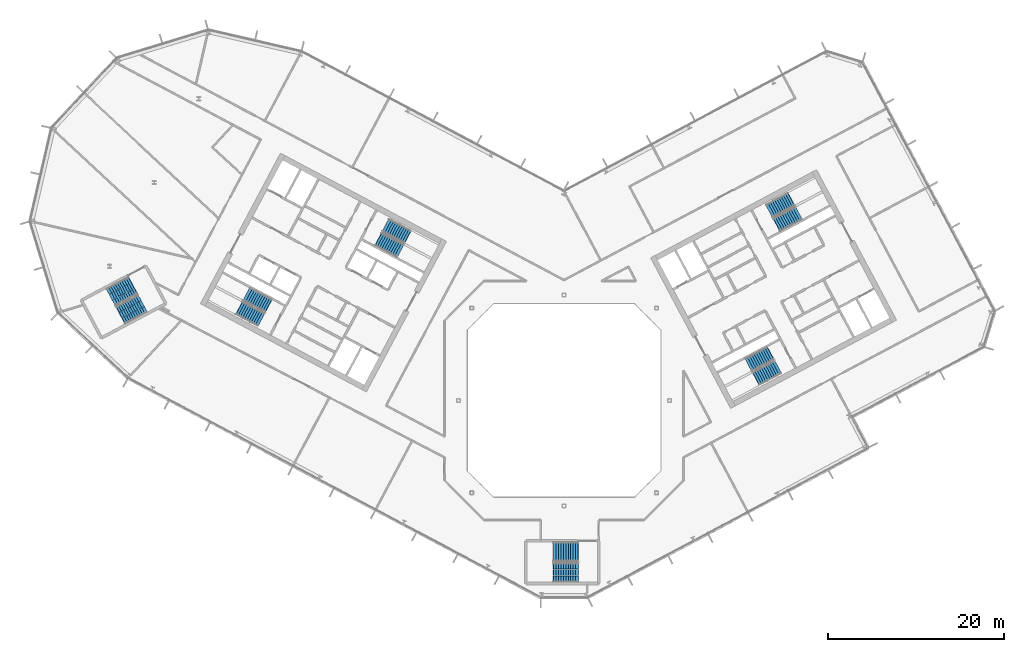
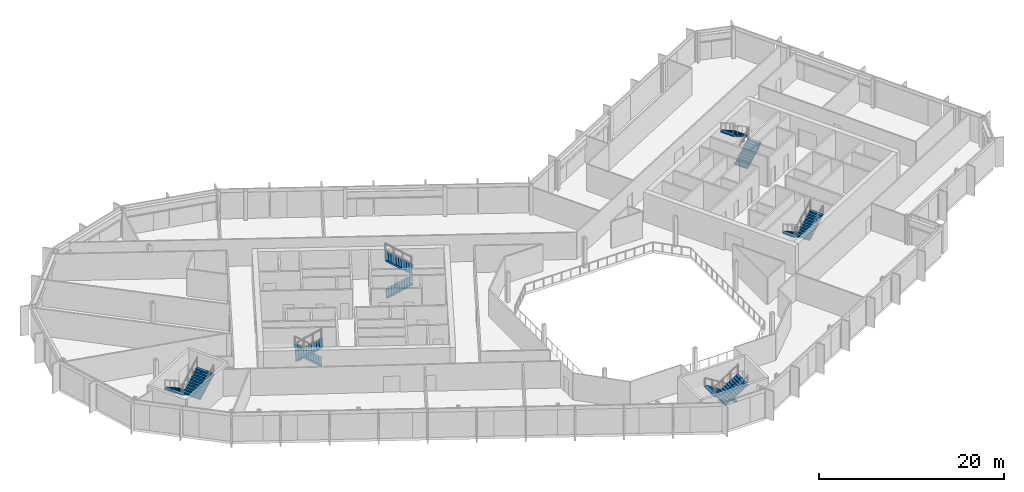
# One storey, part 17 of 26: 12 stair flights, 6 elements without a shape of their own.
"""IFC4 building model written with IfcOpenShell, lengths in metres."""

import ifcopenshell
import ifcopenshell.guid

model = None  # the IFC model being written
_history = None  # IfcOwnerHistory: only IFC2X3 demands one
_inside = {}  # id of a spatial element -> (the spatial element, [elements in it])
_under = {}  # id of a project, library or spatial element -> (it, [spatial elements below it])
_declared = {}  # id of a project -> (the project, [libraries it declares])
_typed = {}  # id of a type object -> (the type object, [elements of that type])
_made_of = {}  # id of a material, layer set ... -> (it, [elements and type objects made of it])


def new_model(schema):
    """Start an empty IFC model of exactly this schema.

    Asked for "IFC4X3", IfcOpenShell would pick the latest addendum, in which some entities
    have other attributes; the version numbers below select the first issue.
    IFC2X3 requires an IfcOwnerHistory on every rooted entity: one is made here for all.
    """
    global model, _history
    if schema == "IFC4X3":
        model = ifcopenshell.file(schema_version=(4, 3, 0, 0))
    else:
        model = ifcopenshell.file(schema=schema)
    _inside.clear()
    _under.clear()
    _declared.clear()
    _typed.clear()
    _made_of.clear()
    _history = None
    if model.schema == "IFC2X3":
        org = make("IfcOrganization", Name="unknown")
        user = make(
            "IfcPersonAndOrganization",
            ThePerson=make("IfcPerson", FamilyName="unknown"),
            TheOrganization=org,
        )
        app = make(
            "IfcApplication",
            ApplicationDeveloper=org,
            Version="unknown",
            ApplicationFullName="unknown",
            ApplicationIdentifier="unknown",
        )
        _history = make(
            "IfcOwnerHistory",
            OwningUser=user,
            OwningApplication=app,
            ChangeAction="ADDED",
            CreationDate=0,
        )
    return model


def make(cls, **values):
    """One entity of the class cls with the attributes given. An attribute that is None is left unset."""
    return model.create_entity(
        cls, **{name: value for name, value in values.items() if value is not None}
    )


def rooted(cls, **values):
    """An entity with a GlobalId (a new one), such as an element, a storey or a relation."""
    return make(cls, GlobalId=ifcopenshell.guid.new(), OwnerHistory=_history, **values)


def si_unit(unit_type, name, prefix=None):
    """IfcSIUnit, for example si_unit("LENGTHUNIT", "METRE", prefix="MILLI")."""
    return make("IfcSIUnit", UnitType=unit_type, Prefix=prefix, Name=name)


def assignment(units):
    """IfcUnitAssignment: the units of a project."""
    return None if units is None else make("IfcUnitAssignment", Units=units)


def point(xyz):
    """IfcCartesianPoint."""
    return None if xyz is None else make("IfcCartesianPoint", Coordinates=xyz)


def direction(xyz):
    """IfcDirection."""
    return None if xyz is None else make("IfcDirection", DirectionRatios=xyz)


def frame(location, z_axis=None, x_axis=None):
    """IfcAxis2Placement3D, a coordinate frame: its origin and axes. An axis left out is left unset."""
    return make(
        "IfcAxis2Placement3D",
        Location=point(location),
        Axis=direction(z_axis),
        RefDirection=direction(x_axis),
    )


def origin():
    """The frame at (0, 0, 0) with its axes left unset."""
    return frame((0.0, 0.0, 0.0))


def place(relative_to, where):
    """IfcLocalPlacement: puts the frame where relative to a parent placement (None: the world)."""
    return make(
        "IfcLocalPlacement", PlacementRelTo=relative_to, RelativePlacement=where
    )


def context(
    kind, dimensions, precision=None, world=None, true_north=None, identifier=None
):
    """IfcGeometricRepresentationContext, for example the 3D "Model" context."""
    return make(
        "IfcGeometricRepresentationContext",
        ContextIdentifier=identifier,
        ContextType=kind,
        CoordinateSpaceDimension=dimensions,
        Precision=precision,
        WorldCoordinateSystem=world,
        TrueNorth=true_north,
    )


def subcontext(parent, identifier, kind, view, scale=None):
    """IfcGeometricRepresentationSubContext, for example "Body" below "Model"."""
    return make(
        "IfcGeometricRepresentationSubContext",
        ContextIdentifier=identifier,
        ContextType=kind,
        ParentContext=parent,
        TargetScale=scale,
        TargetView=view,
    )


def project(units=None, contexts=None):
    """IfcProject with its units and contexts."""
    return rooted(
        "IfcProject",
        Name="project",
        RepresentationContexts=contexts,
        UnitsInContext=assignment(units),
    )


def spatial(cls, under=None, at=None, **own):
    """A site, building, storey or space (cls), placed at a placement, below another one or the project."""
    s = rooted(cls, ObjectPlacement=at, **own)
    if under is not None:
        _under.setdefault(under.id(), (under, []))[1].append(s)
    return s


def polyline(points):
    """IfcPolyline through the points."""
    return make("IfcPolyline", Points=[point(p) for p in points])


def outline(outer, holes=None, kind="AREA"):
    """IfcArbitraryClosedProfileDef: a profile drawn as a closed curve; with holes, ...WithVoids."""
    if holes is None:
        return make("IfcArbitraryClosedProfileDef", ProfileType=kind, OuterCurve=outer)
    return make(
        "IfcArbitraryProfileDefWithVoids",
        ProfileType=kind,
        OuterCurve=outer,
        InnerCurves=holes,
    )


def extrude(swept, where, along, depth):
    """IfcExtrudedAreaSolid: the profile swept, set in the frame where, extruded along a direction by depth."""
    return make(
        "IfcExtrudedAreaSolid",
        SweptArea=swept,
        Position=where,
        ExtrudedDirection=direction(along),
        Depth=depth,
    )


def shape(context_of_items, identifier, shape_type, items):
    """IfcShapeRepresentation: the items that make up one representation, for example the "Body"."""
    return make(
        "IfcShapeRepresentation",
        ContextOfItems=context_of_items,
        RepresentationIdentifier=identifier,
        RepresentationType=shape_type,
        Items=items,
    )


def material(Name=None, Category=None):
    """IfcMaterial."""
    return make("IfcMaterial", Name=Name, Category=Category)


def made_of(thing, what):
    """Note that an element or type object is made of a material, layer set ...; save() writes the relation."""
    if what is not None:
        _made_of.setdefault(what.id(), (what, []))[1].append(thing)
    return thing


def type_object(cls, material=None, **own):
    """A type object (cls), such as IfcWallType, which elements share."""
    return made_of(rooted(cls, **own), material)


def element(
    cls,
    number,
    at=None,
    inside=None,
    cuts=None,
    type_object=None,
    material=None,
    context=None,
    identifier="Body",
    shape_type=None,
    held_by="IfcProductDefinitionShape",
    body=None,
    shapes=None,
    **own,
):
    """One element of the class cls, such as IfcWall. Its Tag is "e" and its number.

    at: its placement. inside: the storey or other place that contains it. cuts: it is an
    opening in that element (IfcRelVoidsElement). A single representation is given by context,
    identifier, shape_type and body (its items); several are given by shapes. held_by: the class
    of the entity that holds the representations. save() writes the other relations.
    """
    e = rooted(cls, Tag="e%d" % number, ObjectPlacement=at, **own)
    if body is not None:
        shapes = [shape(context, identifier, shape_type, body)]
    if shapes is not None:
        e.Representation = make(held_by, Representations=shapes)
    if inside is not None:
        _inside.setdefault(inside.id(), (inside, []))[1].append(e)
    if cuts is not None:
        rooted(
            "IfcRelVoidsElement", RelatingBuildingElement=cuts, RelatedOpeningElement=e
        )
    if type_object is not None:
        _typed.setdefault(type_object.id(), (type_object, []))[1].append(e)
    return made_of(e, material)


def aggregate(whole, parts):
    """IfcRelAggregates: a whole, such as a stair, and the parts it consists of."""
    return rooted("IfcRelAggregates", RelatingObject=whole, RelatedObjects=parts)


def save(model, path):
    """Write the relations noted so far, then the file.

    IfcRelAggregates (storeys below a building ...), IfcRelContainedInSpatialStructure (elements
    in a storey), IfcRelDefinesByType, IfcRelAssociatesMaterial and IfcRelDeclares: one each for
    every whole, place, type object, material and project.
    """
    for whole, parts in _under.values():
        aggregate(whole, parts)
    for where, things in _inside.values():
        rooted(
            "IfcRelContainedInSpatialStructure",
            RelatedElements=things,
            RelatingStructure=where,
        )
    for kind, things in _typed.values():
        rooted("IfcRelDefinesByType", RelatedObjects=things, RelatingType=kind)
    for what, things in _made_of.values():
        rooted("IfcRelAssociatesMaterial", RelatedObjects=things, RelatingMaterial=what)
    for by, libraries in _declared.values():
        rooted("IfcRelDeclares", RelatingContext=by, RelatedDefinitions=libraries)
    model.write(path)


model = new_model("IFC4")

# Units and contexts
model_context = context("Model", 3, precision=1e-05, world=origin(), true_north=direction((0.0, 1.0)))
body_context = subcontext(model_context, "Body", "Model", "MODEL_VIEW")
ifc_project = project(units=[si_unit("LENGTHUNIT", "METRE"), si_unit("AREAUNIT", "SQUARE_METRE"), si_unit("VOLUMEUNIT", "CUBIC_METRE"), si_unit("PLANEANGLEUNIT", "RADIAN"), si_unit("MASSUNIT", "GRAM", prefix="KILO")], contexts=[model_context])

# Site, building, storey
site_placement = place(None, origin())
site = spatial("IfcSite", under=ifc_project, at=site_placement, CompositionType="ELEMENT")
building_placement = place(site_placement, origin())
building = spatial("IfcBuilding", under=site, at=building_placement, Name="Cormorant Relay Tower", CompositionType="ELEMENT")
storey_placement = place(building_placement, frame((0.0, 0.0, 213.0)))
storey = spatial("IfcBuildingStorey", under=building, at=storey_placement, Name="L46", CompositionType="ELEMENT", Elevation=213.0)

# Stair, stair flights
ifc_material_1 = material(Name="Concrete 40 MPa", Category="concrete")
stair_type_1 = type_object("IfcStairType", Name="Exit stair 1500", PredefinedType="HALF_TURN_STAIR", material=ifc_material_1)
stair_1_placement = place(storey_placement, origin())
stair_1 = element("IfcStair", 1, at=stair_1_placement, inside=storey, type_object=stair_type_1, Name="L46 Stair", PredefinedType="HALF_TURN_STAIR")
ifc_material_2 = material(Name="Concrete 40 MPa", Category="concrete")
stair_flight_type_1 = type_object("IfcStairFlightType", Name="Exit stair flight 1650", PredefinedType="STRAIGHT", material=ifc_material_2)
stair_flight_1_placement = place(storey_placement, frame((-21.114501953125, 18.33349609375, 0.0), z_axis=(0.0, 0.0, 1.0), x_axis=(0.882947592859, -0.469471562786, 0.0)))
stair_flight_1 = element("IfcStairFlight", 2, at=stair_flight_1_placement, type_object=stair_flight_type_1, Name="A1 flight 1", NumberOfRisers=11, NumberOfTreads=10, PredefinedType="STRAIGHT", RiserHeight=0.177272727, TreadLength=0.28, context=body_context, shape_type="SweptSolid", body=[
    extrude(outline(polyline([(-0.050048828125, -0.080078125), (-0.050048828125, 0.0), (0.0, 0.0), (0.0, 0.17724609375), (0.280029296875, 0.17724609375), (0.280029296875, 0.3544921875), (0.56005859375, 0.3544921875), (0.56005859375, 0.53173828125), (0.840087890625, 0.53173828125), (0.840087890625, 0.708984375), (1.1201171875, 0.708984375), (1.1201171875, 0.886474609375), (1.39990234375, 0.886474609375), (1.39990234375, 1.063720703125), (1.679931640625, 1.063720703125), (1.679931640625, 1.240966796875), (1.9599609375, 1.240966796875), (1.9599609375, 1.418212890625), (2.239990234375, 1.418212890625), (2.239990234375, 1.595458984375), (2.52001953125, 1.595458984375), (2.52001953125, 1.772705078125), (2.800048828125, 1.772705078125), (2.85009765625, 1.772705078125), (2.85009765625, 1.59521484375), (2.800048828125, 1.59521484375), (0.2802734375, 0.0), (-0.050048828125, -0.080078125)])), frame((0.0, 0.824951171875, 0.0), z_axis=(0.0, -1.0, 0.0), x_axis=(1.0, 0.0, 0.0)), (0.0, 0.0, 1.0), 1.64990234375),
])
stair_flight_2_placement = place(storey_placement, frame((-17.797119140625, 18.6083984375, 1.949951171875), z_axis=(0.0, 0.0, 1.0), x_axis=(-0.882947592859, 0.469471562786, 0.0)))
stair_flight_2 = element("IfcStairFlight", 3, at=stair_flight_2_placement, type_object=stair_flight_type_1, Name="A1 flight 2", NumberOfRisers=11, NumberOfTreads=10, PredefinedType="STRAIGHT", RiserHeight=0.177272727, TreadLength=0.28, context=body_context, shape_type="SweptSolid", body=[
    extrude(outline(polyline([(-0.050048828125, -0.080078125), (-0.050048828125, 0.0), (0.0, 0.0), (0.0, 0.17724609375), (0.280029296875, 0.17724609375), (0.280029296875, 0.3544921875), (0.56005859375, 0.3544921875), (0.56005859375, 0.53173828125), (0.840087890625, 0.53173828125), (0.840087890625, 0.708984375), (1.1201171875, 0.708984375), (1.1201171875, 0.886474609375), (1.39990234375, 0.886474609375), (1.39990234375, 1.063720703125), (1.679931640625, 1.063720703125), (1.679931640625, 1.240966796875), (1.9599609375, 1.240966796875), (1.9599609375, 1.418212890625), (2.239990234375, 1.418212890625), (2.239990234375, 1.595458984375), (2.52001953125, 1.595458984375), (2.52001953125, 1.772705078125), (2.800048828125, 1.772705078125), (2.85009765625, 1.772705078125), (2.85009765625, 1.59521484375), (2.800048828125, 1.59521484375), (0.2802734375, 0.0), (-0.050048828125, -0.080078125)])), frame((0.0, 0.824951171875, 0.0), z_axis=(0.0, -1.0, 0.0), x_axis=(1.0, 0.0, 0.0)), (0.0, 0.0, 1.0), 1.64990234375),
])
aggregate(stair_1, [stair_flight_1, stair_flight_2])

stair_2_placement = place(storey_placement, origin())
stair_2 = element("IfcStair", 4, at=stair_2_placement, inside=storey, type_object=stair_type_1, Name="L46 Stair", PredefinedType="HALF_TURN_STAIR")
stair_flight_3_placement = place(storey_placement, frame((-33.62841796875, 10.773681640625, 0.0), z_axis=(0.0, 0.0, 1.0), x_axis=(-0.882947592859, 0.469471562786, 0.0)))
stair_flight_3 = element("IfcStairFlight", 5, at=stair_flight_3_placement, type_object=stair_flight_type_1, Name="A2 flight 1", NumberOfRisers=11, NumberOfTreads=10, PredefinedType="STRAIGHT", RiserHeight=0.177272727, TreadLength=0.28, context=body_context, shape_type="SweptSolid", body=[
    extrude(outline(polyline([(-0.050048828125, -0.080078125), (-0.050048828125, 0.0), (0.0, 0.0), (0.0, 0.17724609375), (0.280029296875, 0.17724609375), (0.280029296875, 0.3544921875), (0.56005859375, 0.3544921875), (0.56005859375, 0.53173828125), (0.840087890625, 0.53173828125), (0.840087890625, 0.708984375), (1.1201171875, 0.708984375), (1.1201171875, 0.886474609375), (1.39990234375, 0.886474609375), (1.39990234375, 1.063720703125), (1.679931640625, 1.063720703125), (1.679931640625, 1.240966796875), (1.9599609375, 1.240966796875), (1.9599609375, 1.418212890625), (2.239990234375, 1.418212890625), (2.239990234375, 1.595458984375), (2.52001953125, 1.595458984375), (2.52001953125, 1.772705078125), (2.800048828125, 1.772705078125), (2.85009765625, 1.772705078125), (2.85009765625, 1.59521484375), (2.800048828125, 1.59521484375), (0.2802734375, 0.0), (-0.050048828125, -0.080078125)])), frame((0.0, 0.824951171875, 0.0), z_axis=(0.0, -1.0, 0.0), x_axis=(1.0, 0.0, 0.0)), (0.0, 0.0, 1.0), 1.64990234375),
])
stair_flight_4_placement = place(storey_placement, frame((-36.945556640625, 10.498779296875, 1.949951171875), z_axis=(0.0, 0.0, 1.0), x_axis=(0.882947592859, -0.469471562786, 0.0)))
stair_flight_4 = element("IfcStairFlight", 6, at=stair_flight_4_placement, type_object=stair_flight_type_1, Name="A2 flight 2", NumberOfRisers=11, NumberOfTreads=10, PredefinedType="STRAIGHT", RiserHeight=0.177272727, TreadLength=0.28, context=body_context, shape_type="SweptSolid", body=[
    extrude(outline(polyline([(-0.050048828125, -0.080078125), (-0.050048828125, 0.0), (0.0, 0.0), (0.0, 0.17724609375), (0.280029296875, 0.17724609375), (0.280029296875, 0.3544921875), (0.56005859375, 0.3544921875), (0.56005859375, 0.53173828125), (0.840087890625, 0.53173828125), (0.840087890625, 0.708984375), (1.1201171875, 0.708984375), (1.1201171875, 0.886474609375), (1.39990234375, 0.886474609375), (1.39990234375, 1.063720703125), (1.679931640625, 1.063720703125), (1.679931640625, 1.240966796875), (1.9599609375, 1.240966796875), (1.9599609375, 1.418212890625), (2.239990234375, 1.418212890625), (2.239990234375, 1.595458984375), (2.52001953125, 1.595458984375), (2.52001953125, 1.772705078125), (2.800048828125, 1.772705078125), (2.85009765625, 1.772705078125), (2.85009765625, 1.59521484375), (2.800048828125, 1.59521484375), (0.2802734375, 0.0), (-0.050048828125, -0.080078125)])), frame((0.0, 0.824951171875, 0.0), z_axis=(0.0, -1.0, 0.0), x_axis=(1.0, 0.0, 0.0)), (0.0, 0.0, 1.0), 1.64990234375),
])
aggregate(stair_2, [stair_flight_3, stair_flight_4])

stair_3_placement = place(storey_placement, origin())
stair_3 = element("IfcStair", 7, at=stair_3_placement, inside=storey, type_object=stair_type_1, Name="L46 Stair", PredefinedType="HALF_TURN_STAIR")
stair_flight_5_placement = place(storey_placement, frame((23.474365234375, 5.374755859375, 0.0), z_axis=(0.0, 0.0, 1.0), x_axis=(-0.882947592859, -0.469471562786, 0.0)))
stair_flight_5 = element("IfcStairFlight", 8, at=stair_flight_5_placement, type_object=stair_flight_type_1, Name="B1 flight 1", NumberOfRisers=11, NumberOfTreads=10, PredefinedType="STRAIGHT", RiserHeight=0.177272727, TreadLength=0.28, context=body_context, shape_type="SweptSolid", body=[
    extrude(outline(polyline([(-0.050048828125, -0.080078125), (-0.050048828125, 0.0), (0.0, 0.0), (0.0, 0.17724609375), (0.280029296875, 0.17724609375), (0.280029296875, 0.3544921875), (0.56005859375, 0.3544921875), (0.56005859375, 0.53173828125), (0.840087890625, 0.53173828125), (0.840087890625, 0.708984375), (1.1201171875, 0.708984375), (1.1201171875, 0.886474609375), (1.39990234375, 0.886474609375), (1.39990234375, 1.063720703125), (1.679931640625, 1.063720703125), (1.679931640625, 1.240966796875), (1.9599609375, 1.240966796875), (1.9599609375, 1.418212890625), (2.239990234375, 1.418212890625), (2.239990234375, 1.595458984375), (2.52001953125, 1.595458984375), (2.52001953125, 1.772705078125), (2.800048828125, 1.772705078125), (2.85009765625, 1.772705078125), (2.85009765625, 1.59521484375), (2.800048828125, 1.59521484375), (0.2802734375, 0.0), (-0.050048828125, -0.080078125)])), frame((0.0, 0.824951171875, 0.0), z_axis=(0.0, -1.0, 0.0), x_axis=(1.0, 0.0, 0.0)), (0.0, 0.0, 1.0), 1.64990234375),
])
stair_flight_6_placement = place(storey_placement, frame((21.84716796875, 2.470947265625, 1.949951171875), z_axis=(0.0, 0.0, 1.0), x_axis=(0.882947592859, 0.469471562786, 0.0)))
stair_flight_6 = element("IfcStairFlight", 9, at=stair_flight_6_placement, type_object=stair_flight_type_1, Name="B1 flight 2", NumberOfRisers=11, NumberOfTreads=10, PredefinedType="STRAIGHT", RiserHeight=0.177272727, TreadLength=0.28, context=body_context, shape_type="SweptSolid", body=[
    extrude(outline(polyline([(-0.050048828125, -0.080078125), (-0.050048828125, 0.0), (0.0, 0.0), (0.0, 0.17724609375), (0.280029296875, 0.17724609375), (0.280029296875, 0.3544921875), (0.56005859375, 0.3544921875), (0.56005859375, 0.53173828125), (0.840087890625, 0.53173828125), (0.840087890625, 0.708984375), (1.1201171875, 0.708984375), (1.1201171875, 0.886474609375), (1.39990234375, 0.886474609375), (1.39990234375, 1.063720703125), (1.679931640625, 1.063720703125), (1.679931640625, 1.240966796875), (1.9599609375, 1.240966796875), (1.9599609375, 1.418212890625), (2.239990234375, 1.418212890625), (2.239990234375, 1.595458984375), (2.52001953125, 1.595458984375), (2.52001953125, 1.772705078125), (2.800048828125, 1.772705078125), (2.85009765625, 1.772705078125), (2.85009765625, 1.59521484375), (2.800048828125, 1.59521484375), (0.2802734375, 0.0), (-0.050048828125, -0.080078125)])), frame((0.0, 0.824951171875, 0.0), z_axis=(0.0, -1.0, 0.0), x_axis=(1.0, 0.0, 0.0)), (0.0, 0.0, 1.0), 1.64990234375),
])
aggregate(stair_3, [stair_flight_5, stair_flight_6])

stair_4_placement = place(storey_placement, origin())
stair_4 = element("IfcStair", 10, at=stair_4_placement, inside=storey, type_object=stair_type_1, Name="L46 Stair", PredefinedType="HALF_TURN_STAIR")
stair_flight_7_placement = place(storey_placement, frame((24.20458984375, 19.976806640625, 0.0), z_axis=(0.0, 0.0, 1.0), x_axis=(0.882947592859, 0.469471562786, 0.0)))
stair_flight_7 = element("IfcStairFlight", 11, at=stair_flight_7_placement, type_object=stair_flight_type_1, Name="B2 flight 1", NumberOfRisers=11, NumberOfTreads=10, PredefinedType="STRAIGHT", RiserHeight=0.177272727, TreadLength=0.28, context=body_context, shape_type="SweptSolid", body=[
    extrude(outline(polyline([(-0.050048828125, -0.080078125), (-0.050048828125, 0.0), (0.0, 0.0), (0.0, 0.17724609375), (0.280029296875, 0.17724609375), (0.280029296875, 0.3544921875), (0.56005859375, 0.3544921875), (0.56005859375, 0.53173828125), (0.840087890625, 0.53173828125), (0.840087890625, 0.708984375), (1.1201171875, 0.708984375), (1.1201171875, 0.886474609375), (1.39990234375, 0.886474609375), (1.39990234375, 1.063720703125), (1.679931640625, 1.063720703125), (1.679931640625, 1.240966796875), (1.9599609375, 1.240966796875), (1.9599609375, 1.418212890625), (2.239990234375, 1.418212890625), (2.239990234375, 1.595458984375), (2.52001953125, 1.595458984375), (2.52001953125, 1.772705078125), (2.800048828125, 1.772705078125), (2.85009765625, 1.772705078125), (2.85009765625, 1.59521484375), (2.800048828125, 1.59521484375), (0.2802734375, 0.0), (-0.050048828125, -0.080078125)])), frame((0.0, 0.824951171875, 0.0), z_axis=(0.0, -1.0, 0.0), x_axis=(1.0, 0.0, 0.0)), (0.0, 0.0, 1.0), 1.64990234375),
])
stair_flight_8_placement = place(storey_placement, frame((25.831787109375, 22.880615234375, 1.949951171875), z_axis=(0.0, 0.0, 1.0), x_axis=(-0.882947592859, -0.469471562786, 0.0)))
stair_flight_8 = element("IfcStairFlight", 12, at=stair_flight_8_placement, type_object=stair_flight_type_1, Name="B2 flight 2", NumberOfRisers=11, NumberOfTreads=10, PredefinedType="STRAIGHT", RiserHeight=0.177272727, TreadLength=0.28, context=body_context, shape_type="SweptSolid", body=[
    extrude(outline(polyline([(-0.050048828125, -0.080078125), (-0.050048828125, 0.0), (0.0, 0.0), (0.0, 0.17724609375), (0.280029296875, 0.17724609375), (0.280029296875, 0.3544921875), (0.56005859375, 0.3544921875), (0.56005859375, 0.53173828125), (0.840087890625, 0.53173828125), (0.840087890625, 0.708984375), (1.1201171875, 0.708984375), (1.1201171875, 0.886474609375), (1.39990234375, 0.886474609375), (1.39990234375, 1.063720703125), (1.679931640625, 1.063720703125), (1.679931640625, 1.240966796875), (1.9599609375, 1.240966796875), (1.9599609375, 1.418212890625), (2.239990234375, 1.418212890625), (2.239990234375, 1.595458984375), (2.52001953125, 1.595458984375), (2.52001953125, 1.772705078125), (2.800048828125, 1.772705078125), (2.85009765625, 1.772705078125), (2.85009765625, 1.59521484375), (2.800048828125, 1.59521484375), (0.2802734375, 0.0), (-0.050048828125, -0.080078125)])), frame((0.0, 0.824951171875, 0.0), z_axis=(0.0, -1.0, 0.0), x_axis=(1.0, 0.0, 0.0)), (0.0, 0.0, 1.0), 1.64990234375),
])
aggregate(stair_4, [stair_flight_7, stair_flight_8])

ifc_material_3 = material(Name="Concrete 40 MPa", Category="concrete")
stair_type_2 = type_object("IfcStairType", Name="Remote exit stair 2200", PredefinedType="HALF_TURN_STAIR", material=ifc_material_3)
stair_5_placement = place(storey_placement, origin())
stair_5 = element("IfcStair", 13, at=stair_5_placement, inside=storey, type_object=stair_type_2, Name="L46 Stair", PredefinedType="HALF_TURN_STAIR")
ifc_material_4 = material(Name="Concrete 40 MPa", Category="concrete")
stair_flight_type_2 = type_object("IfcStairFlightType", Name="Remote exit stair flight 2200", PredefinedType="STRAIGHT", material=ifc_material_4)
stair_flight_9_placement = place(storey_placement, frame((1.60009765625, -17.22509765625, 0.0), z_axis=(0.0, 0.0, 1.0), x_axis=(-1.0, 0.0, 0.0)))
stair_flight_9 = element("IfcStairFlight", 14, at=stair_flight_9_placement, type_object=stair_flight_type_2, Name="RK1 flight 1", NumberOfRisers=11, NumberOfTreads=10, PredefinedType="STRAIGHT", RiserHeight=0.177272727, TreadLength=0.28, context=body_context, shape_type="SweptSolid", body=[
    extrude(outline(polyline([(-0.050048828125, -0.080078125), (-0.050048828125, 0.0), (0.0, 0.0), (0.0, 0.17724609375), (0.280029296875, 0.17724609375), (0.280029296875, 0.3544921875), (0.56005859375, 0.3544921875), (0.56005859375, 0.53173828125), (0.840087890625, 0.53173828125), (0.840087890625, 0.708984375), (1.1201171875, 0.708984375), (1.1201171875, 0.886474609375), (1.39990234375, 0.886474609375), (1.39990234375, 1.063720703125), (1.679931640625, 1.063720703125), (1.679931640625, 1.240966796875), (1.9599609375, 1.240966796875), (1.9599609375, 1.418212890625), (2.239990234375, 1.418212890625), (2.239990234375, 1.595458984375), (2.52001953125, 1.595458984375), (2.52001953125, 1.772705078125), (2.800048828125, 1.772705078125), (2.85009765625, 1.772705078125), (2.85009765625, 1.59521484375), (2.800048828125, 1.59521484375), (0.2802734375, 0.0), (-0.050048828125, -0.080078125)])), frame((0.0, 1.10009765625, 0.0), z_axis=(0.0, -1.0, 0.0), x_axis=(1.0, 0.0, 0.0)), (0.0, 0.0, 1.0), 0.719970703125),
    extrude(outline(polyline([(-0.050048828125, -0.080078125), (-0.050048828125, 0.0), (0.0, 0.0), (0.0, 0.17724609375), (0.280029296875, 0.17724609375), (0.280029296875, 0.3544921875), (0.56005859375, 0.3544921875), (0.56005859375, 0.53173828125), (0.840087890625, 0.53173828125), (0.840087890625, 0.708984375), (1.1201171875, 0.708984375), (1.1201171875, 0.886474609375), (1.39990234375, 0.886474609375), (1.39990234375, 1.063720703125), (1.679931640625, 1.063720703125), (1.679931640625, 1.240966796875), (1.9599609375, 1.240966796875), (1.9599609375, 1.418212890625), (2.239990234375, 1.418212890625), (2.239990234375, 1.595458984375), (2.52001953125, 1.595458984375), (2.52001953125, 1.772705078125), (2.800048828125, 1.772705078125), (2.85009765625, 1.772705078125), (2.85009765625, 1.59521484375), (2.800048828125, 1.59521484375), (0.2802734375, 0.0), (-0.050048828125, -0.080078125)])), frame((0.0, 0.360107421875, 0.0), z_axis=(0.0, -1.0, 0.0), x_axis=(1.0, 0.0, 0.0)), (0.0, 0.0, 1.0), 0.719970703125),
    extrude(outline(polyline([(-0.050048828125, -0.080078125), (-0.050048828125, 0.0), (0.0, 0.0), (0.0, 0.17724609375), (0.280029296875, 0.17724609375), (0.280029296875, 0.3544921875), (0.56005859375, 0.3544921875), (0.56005859375, 0.53173828125), (0.840087890625, 0.53173828125), (0.840087890625, 0.708984375), (1.1201171875, 0.708984375), (1.1201171875, 0.886474609375), (1.39990234375, 0.886474609375), (1.39990234375, 1.063720703125), (1.679931640625, 1.063720703125), (1.679931640625, 1.240966796875), (1.9599609375, 1.240966796875), (1.9599609375, 1.418212890625), (2.239990234375, 1.418212890625), (2.239990234375, 1.595458984375), (2.52001953125, 1.595458984375), (2.52001953125, 1.772705078125), (2.800048828125, 1.772705078125), (2.85009765625, 1.772705078125), (2.85009765625, 1.59521484375), (2.800048828125, 1.59521484375), (0.2802734375, 0.0), (-0.050048828125, -0.080078125)])), frame((0.0, -0.3798828125, 0.0), z_axis=(0.0, -1.0, 0.0), x_axis=(1.0, 0.0, 0.0)), (0.0, 0.0, 1.0), 0.719970703125),
])
stair_flight_10_placement = place(storey_placement, frame((-1.199951171875, -19.574951171875, 1.949951171875), z_axis=(0.0, 0.0, 1.0), x_axis=(1.0, 0.0, 0.0)))
stair_flight_10 = element("IfcStairFlight", 15, at=stair_flight_10_placement, type_object=stair_flight_type_2, Name="RK1 flight 2", NumberOfRisers=11, NumberOfTreads=10, PredefinedType="STRAIGHT", RiserHeight=0.177272727, TreadLength=0.28, context=body_context, shape_type="SweptSolid", body=[
    extrude(outline(polyline([(-0.050048828125, -0.080078125), (-0.050048828125, 0.0), (0.0, 0.0), (0.0, 0.17724609375), (0.280029296875, 0.17724609375), (0.280029296875, 0.3544921875), (0.56005859375, 0.3544921875), (0.56005859375, 0.53173828125), (0.840087890625, 0.53173828125), (0.840087890625, 0.708984375), (1.1201171875, 0.708984375), (1.1201171875, 0.886474609375), (1.39990234375, 0.886474609375), (1.39990234375, 1.063720703125), (1.679931640625, 1.063720703125), (1.679931640625, 1.240966796875), (1.9599609375, 1.240966796875), (1.9599609375, 1.418212890625), (2.239990234375, 1.418212890625), (2.239990234375, 1.595458984375), (2.52001953125, 1.595458984375), (2.52001953125, 1.772705078125), (2.800048828125, 1.772705078125), (2.85009765625, 1.772705078125), (2.85009765625, 1.59521484375), (2.800048828125, 1.59521484375), (0.2802734375, 0.0), (-0.050048828125, -0.080078125)])), frame((0.0, 1.10009765625, 0.0), z_axis=(0.0, -1.0, 0.0), x_axis=(1.0, 0.0, 0.0)), (0.0, 0.0, 1.0), 0.719970703125),
    extrude(outline(polyline([(-0.050048828125, -0.080078125), (-0.050048828125, 0.0), (0.0, 0.0), (0.0, 0.17724609375), (0.280029296875, 0.17724609375), (0.280029296875, 0.3544921875), (0.56005859375, 0.3544921875), (0.56005859375, 0.53173828125), (0.840087890625, 0.53173828125), (0.840087890625, 0.708984375), (1.1201171875, 0.708984375), (1.1201171875, 0.886474609375), (1.39990234375, 0.886474609375), (1.39990234375, 1.063720703125), (1.679931640625, 1.063720703125), (1.679931640625, 1.240966796875), (1.9599609375, 1.240966796875), (1.9599609375, 1.418212890625), (2.239990234375, 1.418212890625), (2.239990234375, 1.595458984375), (2.52001953125, 1.595458984375), (2.52001953125, 1.772705078125), (2.800048828125, 1.772705078125), (2.85009765625, 1.772705078125), (2.85009765625, 1.59521484375), (2.800048828125, 1.59521484375), (0.2802734375, 0.0), (-0.050048828125, -0.080078125)])), frame((0.0, 0.360107421875, 0.0), z_axis=(0.0, -1.0, 0.0), x_axis=(1.0, 0.0, 0.0)), (0.0, 0.0, 1.0), 0.719970703125),
    extrude(outline(polyline([(-0.050048828125, -0.080078125), (-0.050048828125, 0.0), (0.0, 0.0), (0.0, 0.17724609375), (0.280029296875, 0.17724609375), (0.280029296875, 0.3544921875), (0.56005859375, 0.3544921875), (0.56005859375, 0.53173828125), (0.840087890625, 0.53173828125), (0.840087890625, 0.708984375), (1.1201171875, 0.708984375), (1.1201171875, 0.886474609375), (1.39990234375, 0.886474609375), (1.39990234375, 1.063720703125), (1.679931640625, 1.063720703125), (1.679931640625, 1.240966796875), (1.9599609375, 1.240966796875), (1.9599609375, 1.418212890625), (2.239990234375, 1.418212890625), (2.239990234375, 1.595458984375), (2.52001953125, 1.595458984375), (2.52001953125, 1.772705078125), (2.800048828125, 1.772705078125), (2.85009765625, 1.772705078125), (2.85009765625, 1.59521484375), (2.800048828125, 1.59521484375), (0.2802734375, 0.0), (-0.050048828125, -0.080078125)])), frame((0.0, -0.3798828125, 0.0), z_axis=(0.0, -1.0, 0.0), x_axis=(1.0, 0.0, 0.0)), (0.0, 0.0, 1.0), 0.719970703125),
])
aggregate(stair_5, [stair_flight_9, stair_flight_10])

stair_6_placement = place(storey_placement, origin())
stair_6 = element("IfcStair", 16, at=stair_6_placement, inside=storey, type_object=stair_type_2, Name="L46 Stair", PredefinedType="HALF_TURN_STAIR")
stair_flight_11_placement = place(storey_placement, frame((-49.062255859375, 13.08251953125, 0.0), z_axis=(0.0, 0.0, 1.0), x_axis=(-0.882947502727, -0.4694717323, 0.0)))
stair_flight_11 = element("IfcStairFlight", 17, at=stair_flight_11_placement, type_object=stair_flight_type_2, Name="RP1 flight 1", NumberOfRisers=11, NumberOfTreads=10, PredefinedType="STRAIGHT", RiserHeight=0.177272727, TreadLength=0.28, context=body_context, shape_type="SweptSolid", body=[
    extrude(outline(polyline([(-0.050048828125, -0.080078125), (-0.050048828125, 0.0), (0.0, 0.0), (0.0, 0.17724609375), (0.280029296875, 0.17724609375), (0.280029296875, 0.3544921875), (0.56005859375, 0.3544921875), (0.56005859375, 0.53173828125), (0.840087890625, 0.53173828125), (0.840087890625, 0.708984375), (1.1201171875, 0.708984375), (1.1201171875, 0.886474609375), (1.39990234375, 0.886474609375), (1.39990234375, 1.063720703125), (1.679931640625, 1.063720703125), (1.679931640625, 1.240966796875), (1.9599609375, 1.240966796875), (1.9599609375, 1.418212890625), (2.239990234375, 1.418212890625), (2.239990234375, 1.595458984375), (2.52001953125, 1.595458984375), (2.52001953125, 1.772705078125), (2.800048828125, 1.772705078125), (2.85009765625, 1.772705078125), (2.85009765625, 1.59521484375), (2.800048828125, 1.59521484375), (0.2802734375, 0.0), (-0.050048828125, -0.080078125)])), frame((0.0, 1.10009765625, 0.0), z_axis=(0.0, -1.0, 0.0), x_axis=(1.0, 0.0, 0.0)), (0.0, 0.0, 1.0), 0.719970703125),
    extrude(outline(polyline([(-0.050048828125, -0.080078125), (-0.050048828125, 0.0), (0.0, 0.0), (0.0, 0.17724609375), (0.280029296875, 0.17724609375), (0.280029296875, 0.3544921875), (0.56005859375, 0.3544921875), (0.56005859375, 0.53173828125), (0.840087890625, 0.53173828125), (0.840087890625, 0.708984375), (1.1201171875, 0.708984375), (1.1201171875, 0.886474609375), (1.39990234375, 0.886474609375), (1.39990234375, 1.063720703125), (1.679931640625, 1.063720703125), (1.679931640625, 1.240966796875), (1.9599609375, 1.240966796875), (1.9599609375, 1.418212890625), (2.239990234375, 1.418212890625), (2.239990234375, 1.595458984375), (2.52001953125, 1.595458984375), (2.52001953125, 1.772705078125), (2.800048828125, 1.772705078125), (2.85009765625, 1.772705078125), (2.85009765625, 1.59521484375), (2.800048828125, 1.59521484375), (0.2802734375, 0.0), (-0.050048828125, -0.080078125)])), frame((0.0, 0.360107421875, 0.0), z_axis=(0.0, -1.0, 0.0), x_axis=(1.0, 0.0, 0.0)), (0.0, 0.0, 1.0), 0.719970703125),
    extrude(outline(polyline([(-0.050048828125, -0.080078125), (-0.050048828125, 0.0), (0.0, 0.0), (0.0, 0.17724609375), (0.280029296875, 0.17724609375), (0.280029296875, 0.3544921875), (0.56005859375, 0.3544921875), (0.56005859375, 0.53173828125), (0.840087890625, 0.53173828125), (0.840087890625, 0.708984375), (1.1201171875, 0.708984375), (1.1201171875, 0.886474609375), (1.39990234375, 0.886474609375), (1.39990234375, 1.063720703125), (1.679931640625, 1.063720703125), (1.679931640625, 1.240966796875), (1.9599609375, 1.240966796875), (1.9599609375, 1.418212890625), (2.239990234375, 1.418212890625), (2.239990234375, 1.595458984375), (2.52001953125, 1.595458984375), (2.52001953125, 1.772705078125), (2.800048828125, 1.772705078125), (2.85009765625, 1.772705078125), (2.85009765625, 1.59521484375), (2.800048828125, 1.59521484375), (0.2802734375, 0.0), (-0.050048828125, -0.080078125)])), frame((0.0, -0.3798828125, 0.0), z_axis=(0.0, -1.0, 0.0), x_axis=(1.0, 0.0, 0.0)), (0.0, 0.0, 1.0), 0.719970703125),
])
stair_flight_12_placement = place(storey_placement, frame((-50.431396484375, 9.693115234375, 1.949951171875), z_axis=(0.0, 0.0, 1.0), x_axis=(0.882947502727, 0.4694717323, 0.0)))
stair_flight_12 = element("IfcStairFlight", 18, at=stair_flight_12_placement, type_object=stair_flight_type_2, Name="RP1 flight 2", NumberOfRisers=11, NumberOfTreads=10, PredefinedType="STRAIGHT", RiserHeight=0.177272727, TreadLength=0.28, context=body_context, shape_type="SweptSolid", body=[
    extrude(outline(polyline([(-0.050048828125, -0.080078125), (-0.050048828125, 0.0), (0.0, 0.0), (0.0, 0.17724609375), (0.280029296875, 0.17724609375), (0.280029296875, 0.3544921875), (0.56005859375, 0.3544921875), (0.56005859375, 0.53173828125), (0.840087890625, 0.53173828125), (0.840087890625, 0.708984375), (1.1201171875, 0.708984375), (1.1201171875, 0.886474609375), (1.39990234375, 0.886474609375), (1.39990234375, 1.063720703125), (1.679931640625, 1.063720703125), (1.679931640625, 1.240966796875), (1.9599609375, 1.240966796875), (1.9599609375, 1.418212890625), (2.239990234375, 1.418212890625), (2.239990234375, 1.595458984375), (2.52001953125, 1.595458984375), (2.52001953125, 1.772705078125), (2.800048828125, 1.772705078125), (2.85009765625, 1.772705078125), (2.85009765625, 1.59521484375), (2.800048828125, 1.59521484375), (0.2802734375, 0.0), (-0.050048828125, -0.080078125)])), frame((0.0, 1.10009765625, 0.0), z_axis=(0.0, -1.0, 0.0), x_axis=(1.0, 0.0, 0.0)), (0.0, 0.0, 1.0), 0.719970703125),
    extrude(outline(polyline([(-0.050048828125, -0.080078125), (-0.050048828125, 0.0), (0.0, 0.0), (0.0, 0.17724609375), (0.280029296875, 0.17724609375), (0.280029296875, 0.3544921875), (0.56005859375, 0.3544921875), (0.56005859375, 0.53173828125), (0.840087890625, 0.53173828125), (0.840087890625, 0.708984375), (1.1201171875, 0.708984375), (1.1201171875, 0.886474609375), (1.39990234375, 0.886474609375), (1.39990234375, 1.063720703125), (1.679931640625, 1.063720703125), (1.679931640625, 1.240966796875), (1.9599609375, 1.240966796875), (1.9599609375, 1.418212890625), (2.239990234375, 1.418212890625), (2.239990234375, 1.595458984375), (2.52001953125, 1.595458984375), (2.52001953125, 1.772705078125), (2.800048828125, 1.772705078125), (2.85009765625, 1.772705078125), (2.85009765625, 1.59521484375), (2.800048828125, 1.59521484375), (0.2802734375, 0.0), (-0.050048828125, -0.080078125)])), frame((0.0, 0.360107421875, 0.0), z_axis=(0.0, -1.0, 0.0), x_axis=(1.0, 0.0, 0.0)), (0.0, 0.0, 1.0), 0.719970703125),
    extrude(outline(polyline([(-0.050048828125, -0.080078125), (-0.050048828125, 0.0), (0.0, 0.0), (0.0, 0.17724609375), (0.280029296875, 0.17724609375), (0.280029296875, 0.3544921875), (0.56005859375, 0.3544921875), (0.56005859375, 0.53173828125), (0.840087890625, 0.53173828125), (0.840087890625, 0.708984375), (1.1201171875, 0.708984375), (1.1201171875, 0.886474609375), (1.39990234375, 0.886474609375), (1.39990234375, 1.063720703125), (1.679931640625, 1.063720703125), (1.679931640625, 1.240966796875), (1.9599609375, 1.240966796875), (1.9599609375, 1.418212890625), (2.239990234375, 1.418212890625), (2.239990234375, 1.595458984375), (2.52001953125, 1.595458984375), (2.52001953125, 1.772705078125), (2.800048828125, 1.772705078125), (2.85009765625, 1.772705078125), (2.85009765625, 1.59521484375), (2.800048828125, 1.59521484375), (0.2802734375, 0.0), (-0.050048828125, -0.080078125)])), frame((0.0, -0.3798828125, 0.0), z_axis=(0.0, -1.0, 0.0), x_axis=(1.0, 0.0, 0.0)), (0.0, 0.0, 1.0), 0.719970703125),
])
aggregate(stair_6, [stair_flight_11, stair_flight_12])

save(model, "model.ifc")
